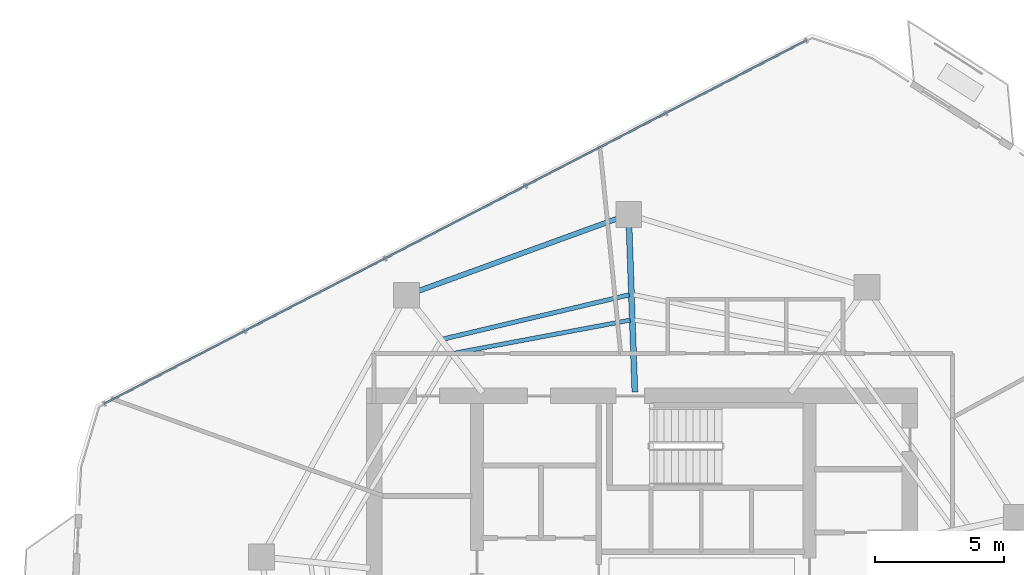
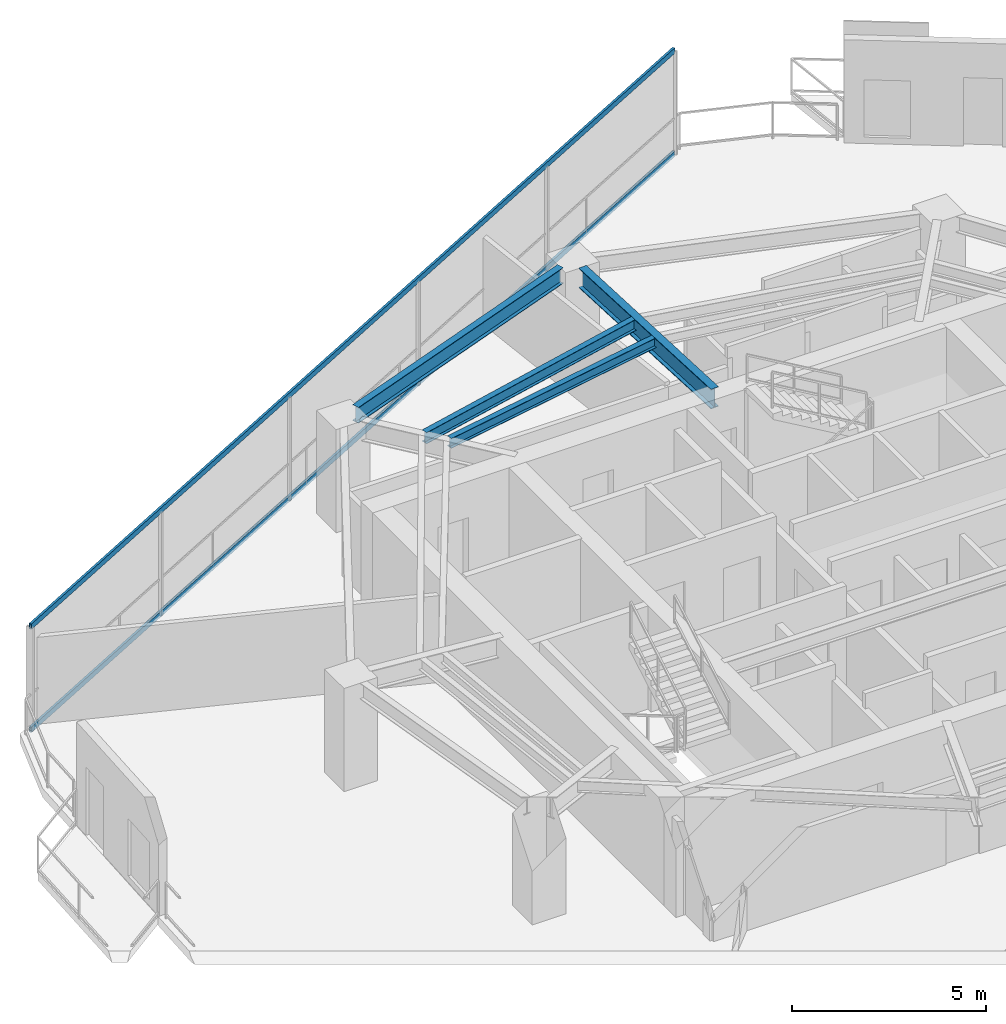
# One storey, part 12 of 20: 4 beams, 2 members, 1 element without a shape of its own.
"""IFC4 building model written with IfcOpenShell, lengths in metres."""

from ifc_helpers import new_model, si_unit, direction, frame, origin, origin_2d, place, context, subcontext, project, spatial, hollow_rectangle, i_section, extrude, material, layer, layer_set, material_profile, profile_set, type_object, element, aggregate, save


model = new_model("IFC4")

# Units and contexts
model_context = context("Model", 3, precision=1e-05, world=origin(), true_north=direction((0.0, 1.0)))
body_context = subcontext(model_context, "Body", "Model", "MODEL_VIEW")
ifc_project = project(units=[si_unit("LENGTHUNIT", "METRE"), si_unit("AREAUNIT", "SQUARE_METRE"), si_unit("VOLUMEUNIT", "CUBIC_METRE"), si_unit("PLANEANGLEUNIT", "RADIAN"), si_unit("MASSUNIT", "GRAM", prefix="KILO")], contexts=[model_context])

# Site, building, storey
site_placement = place(None, origin())
site = spatial("IfcSite", under=ifc_project, at=site_placement, CompositionType="ELEMENT")
building_placement = place(site_placement, origin())
building = spatial("IfcBuilding", under=site, at=building_placement, Name="Qarnah Convention Tower", CompositionType="ELEMENT")
storey_placement = place(building_placement, frame((0.0, 0.0, 168.89990234375)))
storey = spatial("IfcBuildingStorey", under=building, at=storey_placement, Name="L45", CompositionType="ELEMENT", Elevation=168.89990234375)

# Beams
ifc_material_1 = material(Name="Structural steel S355JR", Category="steel")
ifc_material_profile_1 = material_profile(ifc_material_1, i_section(OverallWidth=0.166015625, OverallDepth=0.31201171875, WebThickness=0.007080078125, FlangeThickness=0.010986328125, at=origin_2d()), Name="W310X45")
ifc_profile_set_1 = profile_set([ifc_material_profile_1], Name="Structural steel S355JR")
beam_type_1 = type_object("IfcBeamType", Name="BM-JST-W310", PredefinedType="JOIST", material=ifc_profile_set_1)
beam_1_placement = place(storey_placement, frame((36.737060546875, 37.139892578125, 3.083984375), z_axis=(-0.982756163935, -0.18490625259, 0.0), x_axis=(0.18490625259, -0.982756163935, 0.0)))
element("IfcBeam", 1, at=beam_1_placement, inside=storey, type_object=beam_type_1, Name="L45 joist BM-L45-IJST-03", PredefinedType="JOIST", context=body_context, shape_type="SweptSolid", body=[
    extrude(i_section(OverallWidth=0.166015625, OverallDepth=0.31201171875, WebThickness=0.007080078125, FlangeThickness=0.010986328125, at=origin_2d()), origin(), (0.0, 0.0, 1.0), 6.943603515625),
])
ifc_material_profile_2 = material_profile(ifc_material_1, i_section(OverallWidth=0.172119140625, OverallDepth=0.35595703125, WebThickness=0.007080078125, FlangeThickness=0.011962890625, at=origin_2d()), Name="W360X51")
ifc_profile_set_2 = profile_set([ifc_material_profile_2], Name="Structural steel S355JR")
beam_type_2 = type_object("IfcBeamType", Name="BM-JST-W360", PredefinedType="JOIST", material=ifc_profile_set_2)
beam_2_placement = place(storey_placement, frame((36.701904296875, 38.1220703125, 3.06201171875), z_axis=(-0.972859525366, -0.231396507979, 0.0), x_axis=(0.231396507979, -0.972859525366, 0.0)))
element("IfcBeam", 2, at=beam_2_placement, inside=storey, type_object=beam_type_2, Name="L45 joist BM-L45-SJST-03", PredefinedType="JOIST", context=body_context, shape_type="SweptSolid", body=[
    extrude(i_section(OverallWidth=0.172119140625, OverallDepth=0.35595703125, WebThickness=0.007080078125, FlangeThickness=0.011962890625, at=origin_2d()), origin(), (0.0, 0.0, 1.0), 7.416015625),
])
ifc_material_profile_3 = material_profile(ifc_material_1, i_section(OverallWidth=0.22998046875, OverallDepth=0.617919921875, WebThickness=0.012939453125, FlangeThickness=0.02197265625, at=origin_2d()), Name="W610X140")
ifc_profile_set_3 = profile_set([ifc_material_profile_3], Name="Structural steel S355JR")
beam_type_3 = type_object("IfcBeamType", Name="BM-RAD-W610A", PredefinedType="BEAM", material=ifc_profile_set_3)
beam_3_placement = place(storey_placement, frame((36.923095703125, 34.35009765625, 2.93115234375), z_axis=(-0.034938098977, 0.999389478252, 0.0), x_axis=(-0.999389478252, -0.034938098977, 0.0)))
element("IfcBeam", 3, at=beam_3_placement, inside=storey, type_object=beam_type_3, Name="L45 beam BM-L45-RAD-03", PredefinedType="BEAM", context=body_context, shape_type="SweptSolid", body=[
    extrude(i_section(OverallWidth=0.22998046875, OverallDepth=0.617919921875, WebThickness=0.012939453125, FlangeThickness=0.02197265625, at=origin_2d()), origin(), (0.0, 0.0, 1.0), 6.414794921875),
])
ifc_material_profile_4 = material_profile(ifc_material_1, i_section(OverallWidth=0.199951171875, OverallDepth=0.5, WebThickness=0.010009765625, FlangeThickness=0.01611328125, at=origin_2d()), Name="IPE500")
ifc_profile_set_4 = profile_set([ifc_material_profile_4], Name="Structural steel S355JR")
beam_type_4 = type_object("IfcBeamType", Name="BM-SPN-IPE500", PredefinedType="SPANDREL", material=ifc_profile_set_4)
beam_4_placement = place(storey_placement, frame((36.221923828125, 41.072998046875, 2.989990234375), z_axis=(-0.939745596534, -0.341874558567, 0.0), x_axis=(0.341874558567, -0.939745596534, 0.0)))
element("IfcBeam", 4, at=beam_4_placement, inside=storey, type_object=beam_type_4, Name="L45 spandrel BM-L45-SPN-03", PredefinedType="SPANDREL", context=body_context, shape_type="SweptSolid", body=[
    extrude(i_section(OverallWidth=0.199951171875, OverallDepth=0.5, WebThickness=0.010009765625, FlangeThickness=0.01611328125, at=origin_2d()), origin(), (0.0, 0.0, 1.0), 8.19873046875),
])

# Curtain wall, members
ifc_material_2 = material(Name="Tempered Low-E dark glass", Category="glass")
ifc_layer = layer(ifc_material_2, 0.172119140625)
ifc_layer_set = layer_set([ifc_layer], Name="Tempered Low-E dark glass")
curtain_wall_type = type_object("IfcCurtainWallType", Name="CWS-03", PredefinedType="NOTDEFINED", material=ifc_layer_set)
curtain_wall_placement = place(storey_placement, origin())
curtain_wall = element("IfcCurtainWall", 5, at=curtain_wall_placement, inside=storey, type_object=curtain_wall_type, Name="L45 unitised curtain wall CW-L45-F2", PredefinedType="NOTDEFINED")
ifc_material_3 = material(Name="Black anodised aluminium", Category="aluminium")
ifc_material_profile_5 = material_profile(ifc_material_3, hollow_rectangle(XDim=0.070068359375, YDim=0.169921875, WallThickness=0.0048828125, at=origin_2d()), Name="TRN-70X170")
ifc_profile_set_5 = profile_set([ifc_material_profile_5], Name="Black anodised aluminium")
member_type = type_object("IfcMemberType", Name="TRN-T3", PredefinedType="USERDEFINED", material=ifc_profile_set_5)
member_1_placement = place(storey_placement, frame((16.3349609375, 33.89697265625, 0.0), z_axis=(0.888133641822, 0.459585285083, 0.0), x_axis=(-0.459585285083, 0.888133641822, 0.0)))
member_1 = element("IfcMember", 6, at=member_1_placement, type_object=member_type, Name="CW-L45-F2 transom 1", ObjectType="TRANSOM", PredefinedType="USERDEFINED", context=body_context, shape_type="SweptSolid", body=[
    extrude(hollow_rectangle(XDim=0.070068359375, YDim=0.169921875, WallThickness=0.0048828125, at=origin_2d()), origin(), (0.0, 0.0, 1.0), 30.677978515625),
])
member_2_placement = place(storey_placement, frame((16.3349609375, 33.89697265625, 3.239990234375), z_axis=(0.888133641822, 0.459585285083, 0.0), x_axis=(-0.459585285083, 0.888133641822, 0.0)))
member_2 = element("IfcMember", 7, at=member_2_placement, type_object=member_type, Name="CW-L45-F2 transom 2", ObjectType="TRANSOM", PredefinedType="USERDEFINED", context=body_context, shape_type="SweptSolid", body=[
    extrude(hollow_rectangle(XDim=0.070068359375, YDim=0.169921875, WallThickness=0.0048828125, at=origin_2d()), origin(), (0.0, 0.0, 1.0), 30.677978515625),
])
aggregate(curtain_wall, [member_1, member_2])

save(model, "model.ifc")
